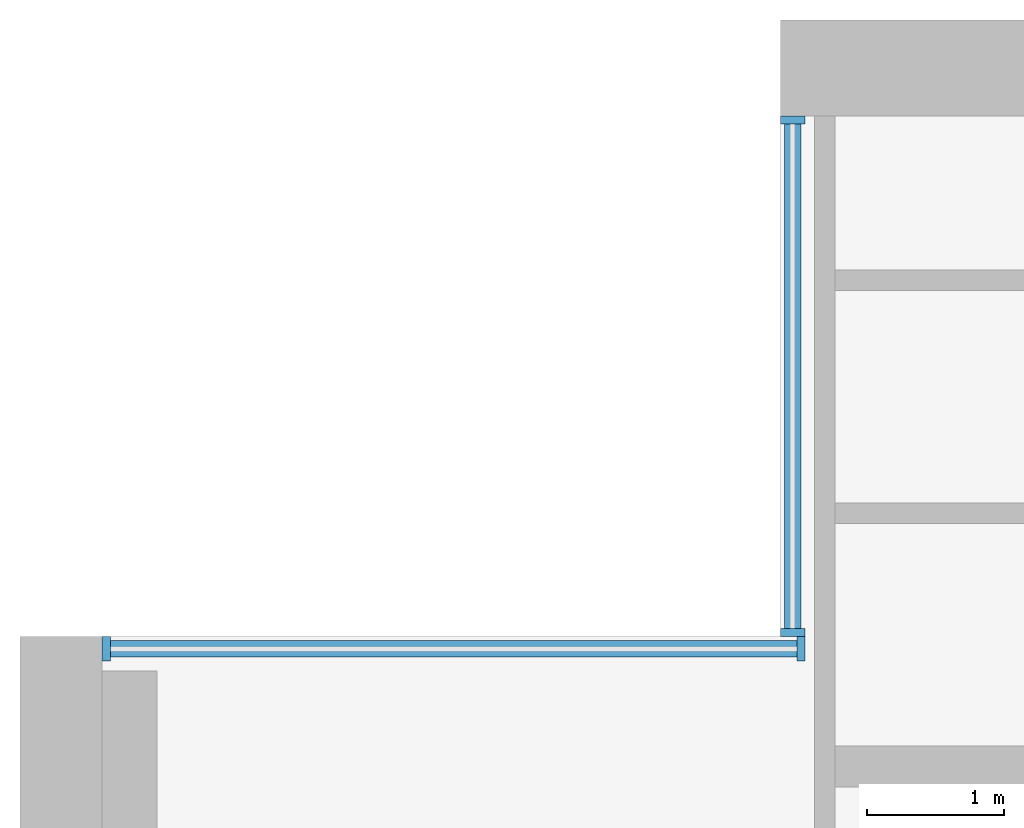
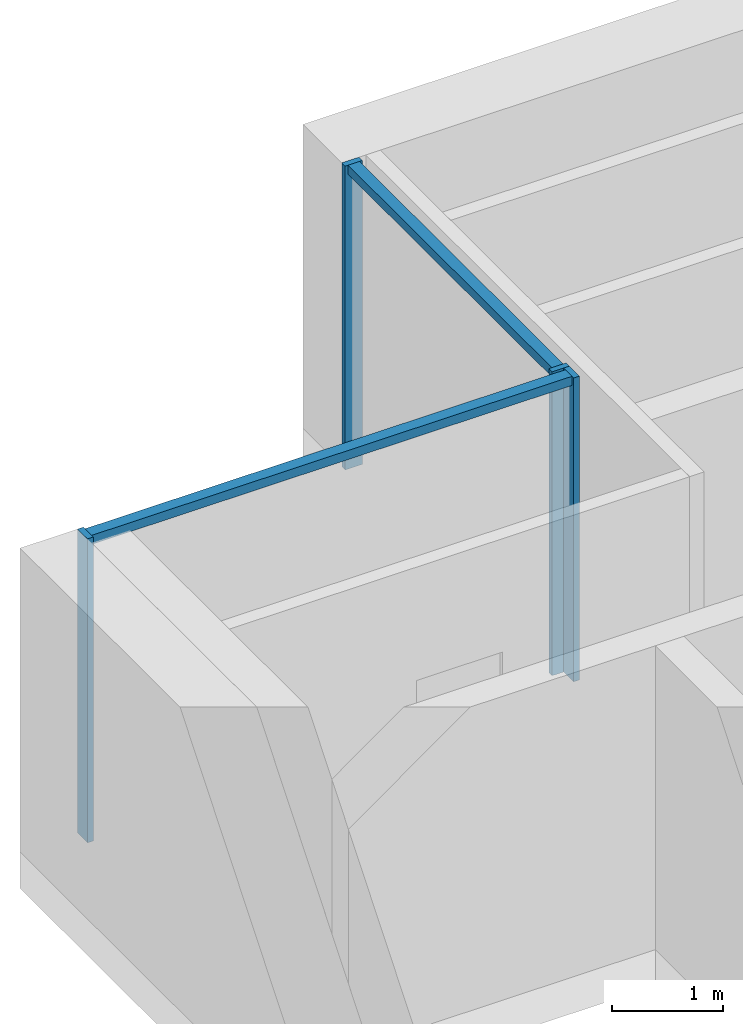
# One storey, part 4 of 17: 6 members, 2 elements without a shape of their own.
"""IFC4 building model written with IfcOpenShell, lengths in metres."""

from ifc_helpers import new_model, si_unit, direction, frame, origin, origin_2d, place, context, subcontext, project, spatial, rectangle, extrude, material, material_profile, profile_set, type_object, element, aggregate, save


model = new_model("IFC4")

# Units and contexts
model_context = context("Model", 3, precision=1e-05, world=origin(), true_north=direction((0.0, 1.0)))
body_context = subcontext(model_context, "Body", "Model", "MODEL_VIEW")
ifc_project = project(units=[si_unit("LENGTHUNIT", "METRE"), si_unit("AREAUNIT", "SQUARE_METRE"), si_unit("VOLUMEUNIT", "CUBIC_METRE"), si_unit("PLANEANGLEUNIT", "RADIAN"), si_unit("MASSUNIT", "GRAM", prefix="KILO")], contexts=[model_context])

# Site, building, storey
site_placement = place(None, origin())
site = spatial("IfcSite", under=ifc_project, at=site_placement, CompositionType="ELEMENT")
building_placement = place(site_placement, origin())
building = spatial("IfcBuilding", under=site, at=building_placement, Name="Calvaro Tower", CompositionType="ELEMENT")
storey_placement = place(building_placement, frame((0.0, 0.0, 204.25)))
storey = spatial("IfcBuildingStorey", under=building, at=storey_placement, Name="L51", CompositionType="ELEMENT", Elevation=204.25)

# Curtain wall, members
ifc_material_1 = material(Name="Anodised aluminium", Category="aluminium")
curtain_wall_type = type_object("IfcCurtainWallType", Name="Office curtain wall, upper zone", PredefinedType="NOTDEFINED", material=ifc_material_1)
curtain_wall_1_placement = place(storey_placement, origin())
curtain_wall_1 = element("IfcCurtainWall", 1, at=curtain_wall_1_placement, inside=storey, type_object=curtain_wall_type, Name="CW3 corner curtain wall", PredefinedType="NOTDEFINED")
ifc_material_2 = material(Name="Anodised aluminium", Category="aluminium")
ifc_material_profile_1 = material_profile(ifc_material_2, rectangle(XDim=0.179931640625, YDim=0.06005859375, at=origin_2d()), Name="Mullion S3 60 x 180")
ifc_profile_set_1 = profile_set([ifc_material_profile_1], Name="Anodised aluminium")
member_type_1 = type_object("IfcMemberType", Name="Mullion S3 60 x 180", PredefinedType="MULLION", material=ifc_profile_set_1)
member_1_placement = place(storey_placement, frame((11.639892578125, 41.530029296875, 0.0), z_axis=(0.0, 0.0, 1.0), x_axis=(-1.0, 0.0, 0.0)))
member_1 = element("IfcMember", 2, at=member_1_placement, type_object=member_type_1, Name="CW3 mullion 1", PredefinedType="MULLION", context=body_context, shape_type="SweptSolid", body=[
    extrude(rectangle(XDim=0.179931640625, YDim=0.06005859375, at=origin_2d()), origin(), (0.0, 0.0, 1.0), 3.35009765625),
])
member_2_placement = place(storey_placement, frame((11.639892578125, 45.27001953125, 0.0), z_axis=(0.0, 0.0, 1.0), x_axis=(-1.0, 0.0, 0.0)))
member_2 = element("IfcMember", 3, at=member_2_placement, type_object=member_type_1, Name="CW3 mullion 2", PredefinedType="MULLION", context=body_context, shape_type="SweptSolid", body=[
    extrude(rectangle(XDim=0.179931640625, YDim=0.06005859375, at=origin_2d()), origin(), (0.0, 0.0, 1.0), 3.35009765625),
])

curtain_wall_2_placement = place(storey_placement, origin())
curtain_wall_2 = element("IfcCurtainWall", 4, at=curtain_wall_2_placement, inside=storey, type_object=curtain_wall_type, Name="CW3 corner curtain wall", PredefinedType="NOTDEFINED")
member_3_placement = place(storey_placement, frame((6.6298828125, 41.409912109375, 0.0), z_axis=(0.0, 0.0, 1.0), x_axis=(0.0, 1.0, 0.0)))
member_3 = element("IfcMember", 5, at=member_3_placement, type_object=member_type_1, Name="CW3 mullion 1", PredefinedType="MULLION", context=body_context, shape_type="SweptSolid", body=[
    extrude(rectangle(XDim=0.179931640625, YDim=0.06005859375, at=origin_2d()), origin(), (0.0, 0.0, 1.0), 3.35009765625),
])
member_4_placement = place(storey_placement, frame((11.699951171875, 41.409912109375, 0.0), z_axis=(0.0, 0.0, 1.0), x_axis=(0.0, 1.0, 0.0)))
member_4 = element("IfcMember", 6, at=member_4_placement, type_object=member_type_1, Name="CW3 mullion 2", PredefinedType="MULLION", context=body_context, shape_type="SweptSolid", body=[
    extrude(rectangle(XDim=0.179931640625, YDim=0.06005859375, at=origin_2d()), origin(), (0.0, 0.0, 1.0), 3.35009765625),
])

# Member
ifc_material_3 = material(Name="Anodised aluminium", Category="aluminium")
ifc_material_profile_2 = material_profile(ifc_material_3, rectangle(XDim=0.1201171875, YDim=0.10009765625, at=origin_2d()), Name="Transom S3 100 x 120")
ifc_profile_set_2 = profile_set([ifc_material_profile_2], Name="Anodised aluminium")
member_type_2 = type_object("IfcMemberType", Name="Transom S3 100 x 120", PredefinedType="USERDEFINED", material=ifc_profile_set_2)
member_5_placement = place(storey_placement, frame((11.639892578125, 41.56005859375, 3.300048828125), z_axis=(0.0, 1.0, 0.0), x_axis=(-1.0, 0.0, 0.0)))
member_5 = element("IfcMember", 7, at=member_5_placement, type_object=member_type_2, Name="CW3 transom 1.1", ObjectType="TRANSOM", PredefinedType="USERDEFINED", context=body_context, shape_type="SweptSolid", body=[
    extrude(rectangle(XDim=0.1201171875, YDim=0.10009765625, at=origin_2d()), origin(), (0.0, 0.0, 1.0), 3.679931640625),
])

aggregate(curtain_wall_1, [member_1, member_2, member_5])

member_6_placement = place(storey_placement, frame((6.659912109375, 41.409912109375, 3.300048828125), z_axis=(1.0, 0.0, 0.0), x_axis=(0.0, 1.0, 0.0)))
member_6 = element("IfcMember", 8, at=member_6_placement, type_object=member_type_2, Name="CW3 transom 1.1", ObjectType="TRANSOM", PredefinedType="USERDEFINED", context=body_context, shape_type="SweptSolid", body=[
    extrude(rectangle(XDim=0.1201171875, YDim=0.10009765625, at=origin_2d()), origin(), (0.0, 0.0, 1.0), 5.010009765625),
])

aggregate(curtain_wall_2, [member_3, member_4, member_6])

save(model, "model.ifc")
